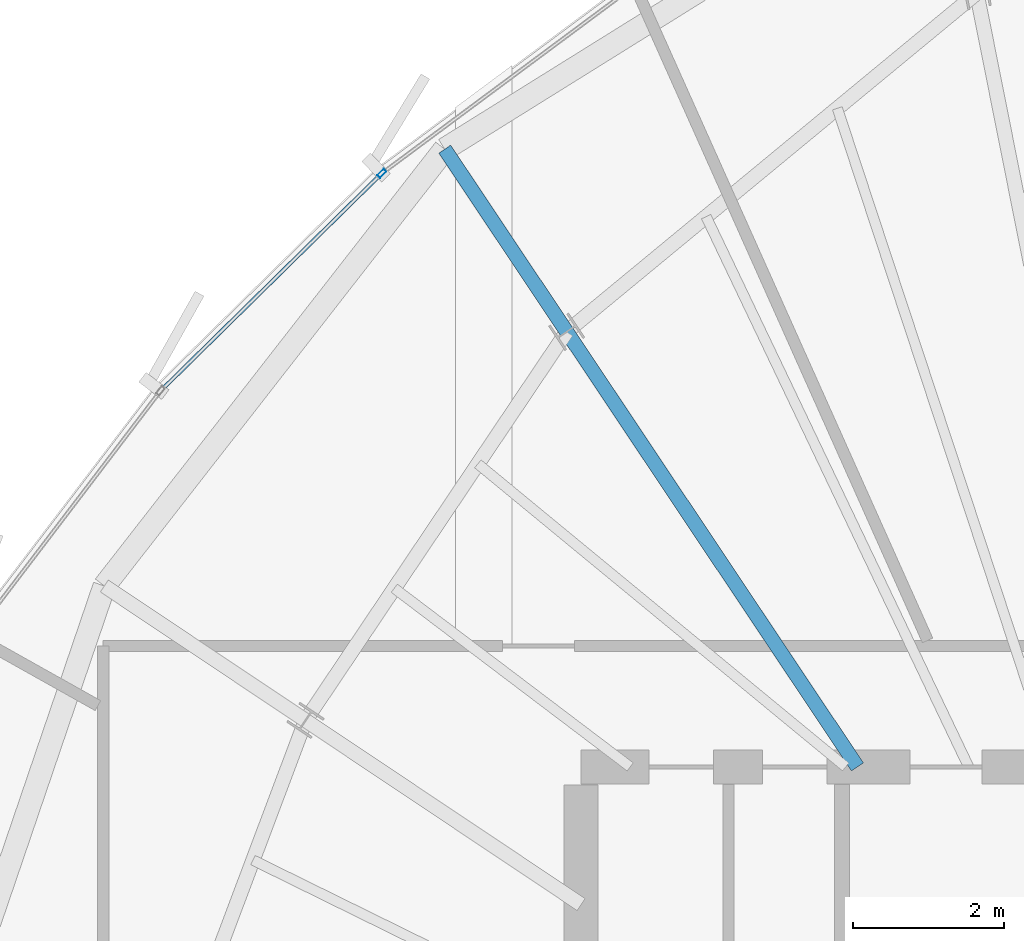
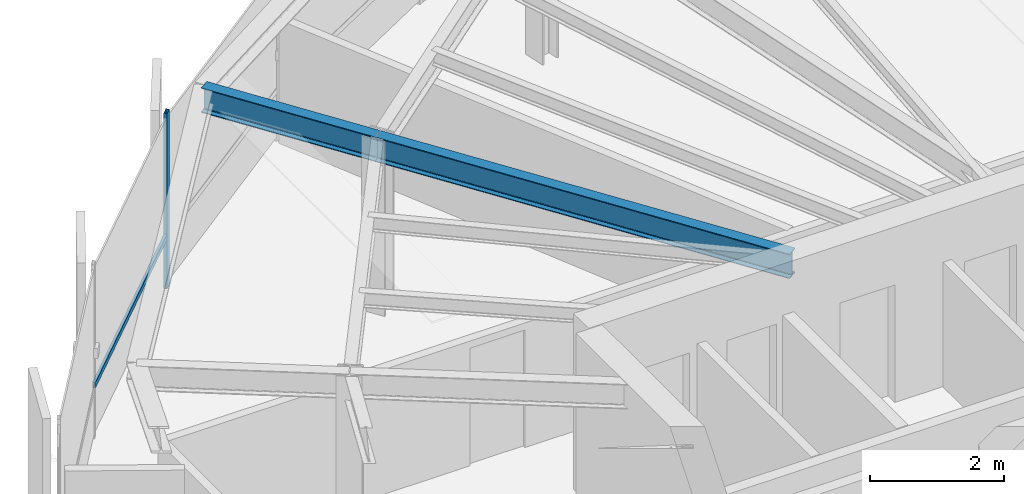
# One storey, part 19 of 34: 2 beams, 2 members, 1 element without a shape of its own.
"""IFC4 building model written with IfcOpenShell, lengths in metres."""

from ifc_helpers import new_model, si_unit, direction, frame, origin, origin_2d, place, context, subcontext, project, spatial, hollow_rectangle, i_section, extrude, source, transform, mapped, material, layer, layer_set, material_profile, profile_set, type_object, element, aggregate, save


model = new_model("IFC4")

# Units and contexts
model_context = context("Model", 3, precision=1e-05, world=origin(), true_north=direction((0.0, 1.0)))
body_context = subcontext(model_context, "Body", "Model", "MODEL_VIEW")
ifc_project = project(units=[si_unit("LENGTHUNIT", "METRE"), si_unit("AREAUNIT", "SQUARE_METRE"), si_unit("VOLUMEUNIT", "CUBIC_METRE"), si_unit("PLANEANGLEUNIT", "RADIAN"), si_unit("MASSUNIT", "GRAM", prefix="KILO"), si_unit("THERMODYNAMICTEMPERATUREUNIT", "KELVIN")], contexts=[model_context])

# Site, building, storey
site_placement = place(None, origin())
site = spatial("IfcSite", under=ifc_project, at=site_placement, CompositionType="ELEMENT")
building_placement = place(site_placement, origin())
building = spatial("IfcBuilding", under=site, at=building_placement, Name="Kethvar Cultural Tower", CompositionType="ELEMENT")
storey_placement = place(building_placement, frame((0.0, 0.0, 231.85009765625)))
storey = spatial("IfcBuildingStorey", under=building, at=storey_placement, Name="L60", CompositionType="ELEMENT", Elevation=231.85009765625)

# Beams
ifc_material_1 = material(Name="Steel S355J2", Category="steel")
ifc_material_profile_1 = material_profile(ifc_material_1, i_section(OverallWidth=0.18994140625, OverallDepth=0.449951171875, WebThickness=0.009521484375, FlangeThickness=0.0146484375, FilletRadius=0.02099609375, at=origin_2d()), Name="Steel S355J2 — IPE450")
ifc_profile_set_1 = profile_set([ifc_material_profile_1], Name="Steel S355J2 — IPE450")
beam_type = type_object("IfcBeamType", Name="BM-IPE450", PredefinedType="BEAM", material=ifc_profile_set_1)
shared_shape_1 = source(origin(), body_context, "Body", "SweptSolid", [
    extrude(i_section(OverallWidth=0.18994140625, OverallDepth=0.449951171875, WebThickness=0.009521484375, FlangeThickness=0.0146484375, FilletRadius=0.02099609375, at=origin_2d()), origin(), (0.0, 0.0, 1.0), 6.921630859375),
])
beam_1_placement = place(storey_placement, frame((41.655029296875, 35.5, 2.98291015625), z_axis=(-0.555570841874, 0.831469205479, 0.0), x_axis=(-0.831469205479, -0.555570841874, 0.0)))
element("IfcBeam", 1, at=beam_1_placement, inside=storey, type_object=beam_type, Name="L60 Primary Radial Beam RB-06", PredefinedType="BEAM", context=body_context, shape_type="MappedRepresentation", body=[
    mapped(shared_shape_1, transform((0.0, 0.0, 0.0), scale=1.0)),
])
shared_shape_2 = source(origin(), body_context, "Body", "SweptSolid", [
    extrude(i_section(OverallWidth=0.18994140625, OverallDepth=0.449951171875, WebThickness=0.009521484375, FlangeThickness=0.0146484375, FilletRadius=0.02099609375, at=origin_2d()), origin(), (0.0, 0.0, 1.0), 2.904296875),
])
beam_2_placement = place(storey_placement, frame((37.8095703125, 41.255126953125, 2.98291015625), z_axis=(-0.555572853617, 0.831467861269, 0.0), x_axis=(-0.831467861269, -0.555572853617, 0.0)))
element("IfcBeam", 2, at=beam_2_placement, inside=storey, type_object=beam_type, Name="L60 Perimeter Cantilever Beam RC-06", PredefinedType="BEAM", context=body_context, shape_type="MappedRepresentation", body=[
    mapped(shared_shape_2, transform((0.0, 0.0, 0.0), scale=1.0)),
])

# Curtain wall, members
ifc_material_2 = material(Name="Aluminium 6063-T6", Category="aluminium")
ifc_layer = layer(ifc_material_2, 0.179931640625, Name="Aluminium 6063-T6", Category="aluminium")
ifc_layer_set = layer_set([ifc_layer], Name="Aluminium 6063-T6 (180 mm)")
curtain_wall_type = type_object("IfcCurtainWallType", Name="CW-SYS-05-Z56", PredefinedType="NOTDEFINED", material=ifc_layer_set)
curtain_wall_placement = place(storey_placement, origin())
curtain_wall = element("IfcCurtainWall", 3, at=curtain_wall_placement, inside=storey, type_object=curtain_wall_type, Name="L60 Curtain Wall Run 02", PredefinedType="NOTDEFINED")
ifc_material_profile_2 = material_profile(ifc_material_2, hollow_rectangle(XDim=0.054931640625, YDim=0.1201171875, WallThickness=0.00390625, at=origin_2d()), Name="Aluminium 6063-T6 — RHS120x55x4")
ifc_profile_set_2 = profile_set([ifc_material_profile_2], Name="Aluminium 6063-T6 — RHS120x55x4")
member_type_1 = type_object("IfcMemberType", Name="CW-SYS-05-Z56-MUL", PredefinedType="MULLION", material=ifc_profile_set_2)
shared_shape_3 = source(origin(), body_context, "Body", "SweptSolid", [
    extrude(hollow_rectangle(XDim=0.054931640625, YDim=0.1201171875, WallThickness=0.00390625, at=origin_2d()), origin(), (0.0, 0.0, 1.0), 3.2099609375),
])
member_1_placement = place(storey_placement, frame((35.3642578125, 43.349609375, 0.0), z_axis=(0.0, 0.0, 1.0), x_axis=(0.701257740515, -0.712907835115, 0.0)))
member_1 = element("IfcMember", 4, at=member_1_placement, type_object=member_type_1, Name="CW-L60-R02 Mullion 3", PredefinedType="MULLION", context=body_context, shape_type="MappedRepresentation", body=[
    mapped(shared_shape_3, transform((0.0, 0.0, 0.0), scale=1.0)),
])
ifc_material_profile_3 = material_profile(ifc_material_2, hollow_rectangle(XDim=0.050048828125, YDim=0.10009765625, WallThickness=0.00390625, at=origin_2d()), Name="Aluminium 6063-T6 — RHS100x50x4")
ifc_profile_set_3 = profile_set([ifc_material_profile_3], Name="Aluminium 6063-T6 — RHS100x50x4")
member_type_2 = type_object("IfcMemberType", Name="CW-SYS-05-Z56-TRN", PredefinedType="USERDEFINED", material=ifc_profile_set_3)
shared_shape_4 = source(origin(), body_context, "Body", "SweptSolid", [
    extrude(hollow_rectangle(XDim=0.050048828125, YDim=0.10009765625, WallThickness=0.00390625, at=origin_2d()), origin(), (0.0, 0.0, 1.0), 4.03955078125),
])
member_2_placement = place(storey_placement, frame((35.336181640625, 43.32177734375, 0.949951171875), z_axis=(-0.712914899986, -0.701250558201, 0.0), x_axis=(0.701250558201, -0.712914899986, 0.0)))
member_2 = element("IfcMember", 5, at=member_2_placement, type_object=member_type_2, Name="CW-L60-R02 Transom 3", ObjectType="TRANSOM", PredefinedType="USERDEFINED", context=body_context, shape_type="MappedRepresentation", body=[
    mapped(shared_shape_4, transform((0.0, 0.0, 0.0), scale=1.0)),
])
aggregate(curtain_wall, [member_1, member_2])

save(model, "model.ifc")
